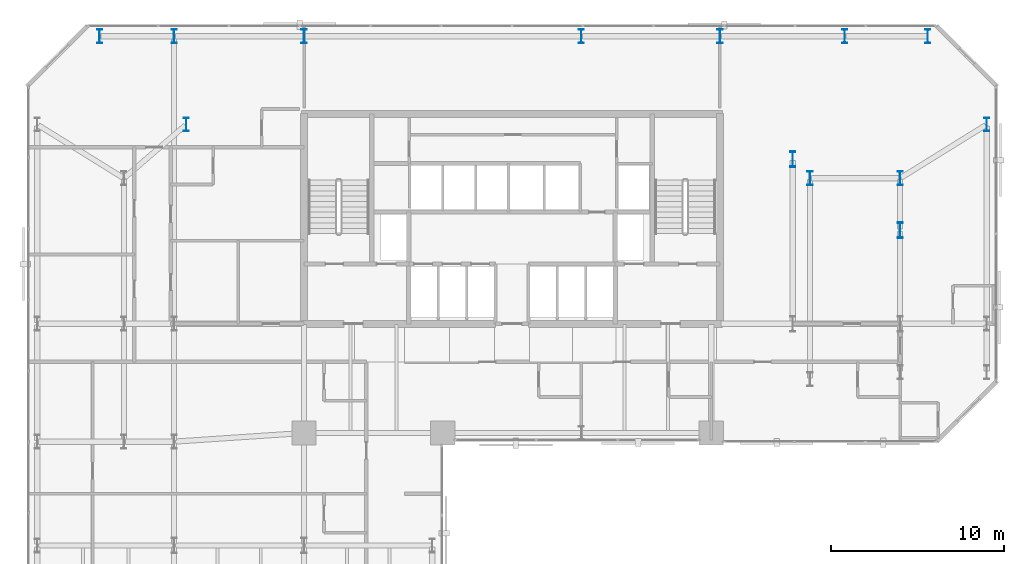
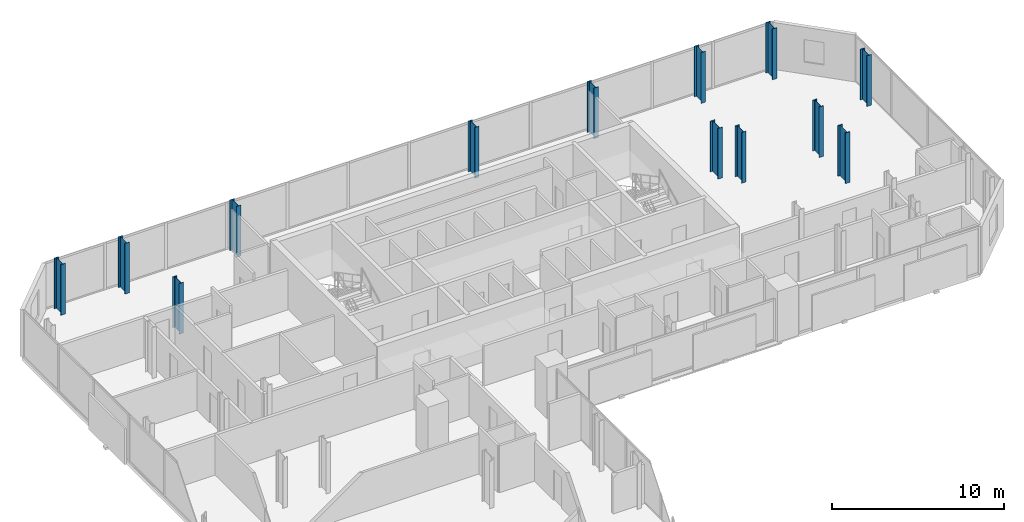
# One storey, part 2 of 33: 13 columns.
"""IFC4 building model written with IfcOpenShell, lengths in metres."""

from ifc_helpers import new_model, si_unit, direction, frame, origin, origin_2d, place, context, subcontext, project, spatial, i_section, extrude, material, material_profile, profile_set, type_object, element, save


model = new_model("IFC4")

# Units and contexts
model_context = context("Model", 3, precision=1e-05, world=origin(), true_north=direction((0.0, 1.0)))
body_context = subcontext(model_context, "Body", "Model", "MODEL_VIEW")
ifc_project = project(units=[si_unit("LENGTHUNIT", "METRE"), si_unit("AREAUNIT", "SQUARE_METRE"), si_unit("VOLUMEUNIT", "CUBIC_METRE"), si_unit("PLANEANGLEUNIT", "RADIAN"), si_unit("MASSUNIT", "GRAM", prefix="KILO")], contexts=[model_context])

# Site, building, storey
site_placement = place(None, origin())
site = spatial("IfcSite", under=ifc_project, at=site_placement, CompositionType="ELEMENT")
building_placement = place(site_placement, origin())
building = spatial("IfcBuilding", under=site, at=building_placement, Name="Catumbela Crestline Tower", CompositionType="ELEMENT")
storey_placement = place(building_placement, frame((0.0, 0.0, 47.4)))
storey = spatial("IfcBuildingStorey", under=building, at=storey_placement, Name="L11", CompositionType="ELEMENT", Elevation=47.4)

# Columns
ifc_material = material(Name="Structural steel S460M", Category="steel")
ifc_material_profile_1 = material_profile(ifc_material, i_section(OverallWidth=0.3, OverallDepth=0.8, WebThickness=0.0175, FlangeThickness=0.033, FilletRadius=0.03, at=origin_2d()), Name="HEB 800")
ifc_profile_set_1 = profile_set([ifc_material_profile_1], Name="Structural steel S460M")
column_type_1 = type_object("IfcColumnType", Name="C-ST-HEB800", PredefinedType="COLUMN", material=ifc_profile_set_1)
for number, where, z_axis, x_axis, name in (
    (1, (9.2, 42.3, 0.0), (0.0, 0.0, 1.0), (1.0, 0.0, 0.0), "L11 Column C-08-43 (HEB 800)"),
    (2, (45.2, 39.2, 0.0), (0.0, 0.0, 1.0), (1.0, 0.0, 0.0), "L11 Column C-46-43 (HEB 800)"),
    (3, (4.2, 47.4, 0.0), (0.0, 0.0, 1.0), (1.0, 0.0, 0.0), "L11 Column C-00-48 (HEB 800)"),
    (4, (8.5, 47.4, 0.0), (0.0, 0.0, 1.0), (1.0, 0.0, 0.0), "L11 Column C-08-48 (HEB 800)"),
    (5, (16.0, 47.4, 0.0), (0.0, 0.0, 1.0), (1.0, 0.0, 0.0), "L11 Column C-16-48 (HEB 800)"),
    (6, (32.0, 47.4, 0.0), (0.0, 0.0, 1.0), (1.0, 0.0, 0.0), "L11 Column C-32-48 (HEB 800)"),
    (7, (40.0, 47.4, 0.0), (0.0, 0.0, 1.0), (1.0, 0.0, 0.0), "L11 Column C-40-48 (HEB 800)"),
    (8, (47.2, 47.4, 0.0), (0.0, 0.0, 1.0), (1.0, 0.0, 0.0), "L11 Column C-48-48 (HEB 800)"),
    (9, (50.4, 39.2, 0.0), (0.0, 0.0, 1.0), (1.0, 0.0, 0.0), "L11 Column C-51-43 (HEB 800)"),
    (10, (55.4, 42.3, 0.0), (0.0, 0.0, 1.0), (1.0, 0.0, 0.0), "L11 Column C-56-43 (HEB 800)"),
    (11, (52.0, 47.4, 0.0), (0.0, 0.0, 1.0), (1.0, 0.0, 0.0), "L11 Column C-56-48 (HEB 800)"),
):
    element("IfcColumn", number, at=place(storey_placement, frame(where, z_axis=z_axis, x_axis=x_axis)), inside=storey, type_object=column_type_1, Name=name, PredefinedType="COLUMN", context=body_context, shape_type="SweptSolid", body=[
        extrude(i_section(OverallWidth=0.3, OverallDepth=0.8, WebThickness=0.0175, FlangeThickness=0.033, FilletRadius=0.03, at=origin_2d()), origin(), (0.0, 0.0, 1.0), 3.6),
    ])
ifc_material_profile_2 = material_profile(ifc_material, i_section(OverallWidth=0.3, OverallDepth=0.9, WebThickness=0.0185, FlangeThickness=0.035, FilletRadius=0.03, at=origin_2d()), Name="HEB 900")
ifc_profile_set_2 = profile_set([ifc_material_profile_2], Name="Structural steel S460M")
column_type_2 = type_object("IfcColumnType", Name="C-ST-HEB900", PredefinedType="COLUMN", material=ifc_profile_set_2)
for number, where, z_axis, x_axis, name in (
    (12, (44.2, 40.3, 0.0), (0.0, 0.0, 1.0), (1.0, 0.0, 0.0), "L11 Column CT-46-37 (HEB 900)"),
    (13, (50.4, 36.2, 0.0), (0.0, 0.0, 1.0), (1.0, 0.0, 0.0), "L11 Column CT-51-37 (HEB 900)"),
):
    element("IfcColumn", number, at=place(storey_placement, frame(where, z_axis=z_axis, x_axis=x_axis)), inside=storey, type_object=column_type_2, Name=name, PredefinedType="COLUMN", context=body_context, shape_type="SweptSolid", body=[
        extrude(i_section(OverallWidth=0.3, OverallDepth=0.9, WebThickness=0.0185, FlangeThickness=0.035, FilletRadius=0.03, at=origin_2d()), origin(), (0.0, 0.0, 1.0), 3.6),
    ])

save(model, "model.ifc")
